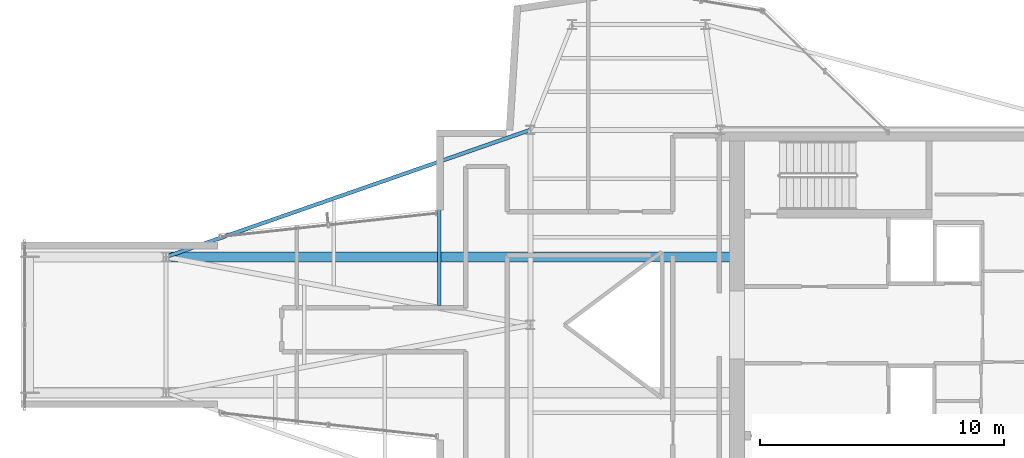
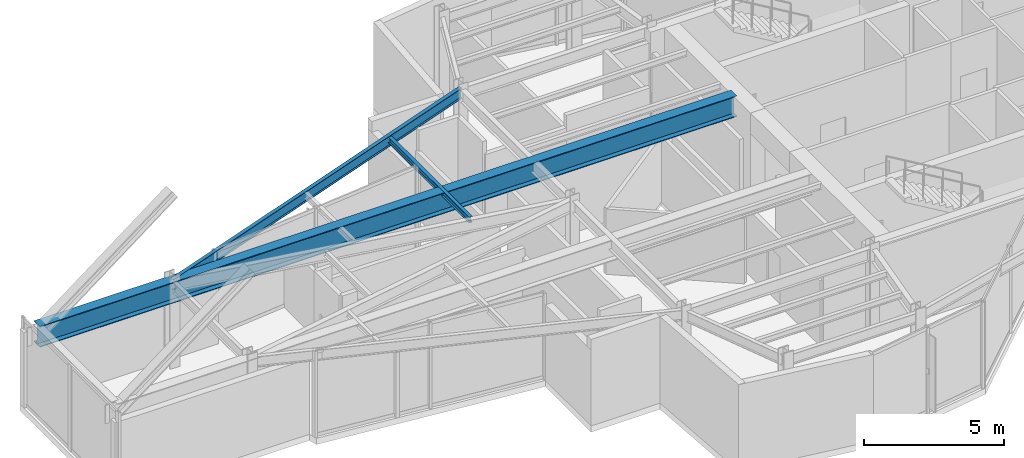
# One storey, part 6 of 16: 3 beams.
"""IFC4 building model written with IfcOpenShell, lengths in metres."""

from ifc_helpers import new_model, si_unit, direction, frame, origin, origin_2d, place, context, subcontext, project, spatial, i_section, extrude, material, material_profile, profile_set, type_object, element, save


model = new_model("IFC4")

# Units and contexts
model_context = context("Model", 3, precision=1e-05, world=origin(), true_north=direction((0.0, 1.0)))
body_context = subcontext(model_context, "Body", "Model", "MODEL_VIEW")
ifc_project = project(units=[si_unit("LENGTHUNIT", "METRE"), si_unit("AREAUNIT", "SQUARE_METRE"), si_unit("VOLUMEUNIT", "CUBIC_METRE"), si_unit("PLANEANGLEUNIT", "RADIAN"), si_unit("MASSUNIT", "GRAM", prefix="KILO")], contexts=[model_context])

# Site, building, storey
site_placement = place(None, origin())
site = spatial("IfcSite", under=ifc_project, at=site_placement, CompositionType="ELEMENT")
building_placement = place(site_placement, origin())
building = spatial("IfcBuilding", under=site, at=building_placement, Name="Veymaron Broadcast Tower", CompositionType="ELEMENT")
storey_placement = place(building_placement, frame((0.0, 0.0, 315.449951171875)))
storey = spatial("IfcBuildingStorey", under=building, at=storey_placement, Name="L74", CompositionType="ELEMENT", Elevation=315.449951171875)

# Beams
ifc_material = material(Name="Structural steel ASTM A992 Gr 50", Category="steel")
ifc_material_profile_1 = material_profile(ifc_material, i_section(OverallWidth=0.41796875, OverallDepth=0.912109375, WebThickness=0.019287109375, FlangeThickness=0.031982421875, at=origin_2d()), Name="W920X342")
ifc_profile_set_1 = profile_set([ifc_material_profile_1], Name="Structural steel ASTM A992 Gr 50")
beam_type_1 = type_object("IfcBeamType", Name="BM-CL1", PredefinedType="BEAM", material=ifc_profile_set_1)
beam_1_placement = place(storey_placement, frame((39.5, 26.7880859375, 3.323974609375), z_axis=(-1.0, 0.0, 0.0), x_axis=(0.0, -1.0, 0.0)))
element("IfcBeam", 1, at=beam_1_placement, inside=storey, type_object=beam_type_1, Name="L74 Sky-Lounge Cantilever Backspan Girder N", PredefinedType="BEAM", context=body_context, shape_type="SweptSolid", body=[
    extrude(i_section(OverallWidth=0.41796875, OverallDepth=0.912109375, WebThickness=0.019287109375, FlangeThickness=0.031982421875, at=origin_2d()), origin(), (0.0, 0.0, 1.0), 28.84130859375),
])
ifc_material_profile_2 = material_profile(ifc_material, i_section(OverallWidth=0.14599609375, OverallDepth=0.258056640625, WebThickness=0.006103515625, FlangeThickness=0.009033203125, at=origin_2d()), Name="W250X33")
ifc_profile_set_2 = profile_set([ifc_material_profile_2], Name="Structural steel ASTM A992 Gr 50")
beam_type_2 = type_object("IfcBeamType", Name="BM-JS4", PredefinedType="JOIST", material=ifc_profile_set_2)
beam_2_placement = place(storey_placement, frame((27.46142578125, 24.797119140625, 3.651123046875), z_axis=(0.0, 1.0, 0.0), x_axis=(-1.0, 0.0, 0.0)))
element("IfcBeam", 2, at=beam_2_placement, inside=storey, type_object=beam_type_2, Name="L74 Arm-A secondary joist 2N", PredefinedType="JOIST", context=body_context, shape_type="SweptSolid", body=[
    extrude(i_section(OverallWidth=0.14599609375, OverallDepth=0.258056640625, WebThickness=0.006103515625, FlangeThickness=0.009033203125, at=origin_2d()), origin(), (0.0, 0.0, 1.0), 5.7998046875),
])
ifc_material_profile_3 = material_profile(ifc_material, i_section(OverallWidth=0.154052734375, OverallDepth=0.458984375, WebThickness=0.009033203125, FlangeThickness=0.015380859375, at=origin_2d()), Name="W460X68")
ifc_profile_set_3 = profile_set([ifc_material_profile_3], Name="Structural steel ASTM A992 Gr 50")
beam_type_3 = type_object("IfcBeamType", Name="BM-SP2", PredefinedType="SPANDREL", material=ifc_profile_set_3)
beam_3_placement = place(storey_placement, frame((16.24560546875, 26.7880859375, 3.550537109375), z_axis=(0.944292797804, 0.329106535966, 0.0), x_axis=(-0.329106535966, 0.944292797804, 0.0)))
element("IfcBeam", 3, at=beam_3_placement, inside=storey, type_object=beam_type_3, Name="L74 primary structural floor girder", PredefinedType="SPANDREL", context=body_context, shape_type="SweptSolid", body=[
    extrude(i_section(OverallWidth=0.154052734375, OverallDepth=0.458984375, WebThickness=0.009033203125, FlangeThickness=0.015380859375, at=origin_2d()), origin(), (0.0, 0.0, 1.0), 15.836669921875),
])

save(model, "model.ifc")
